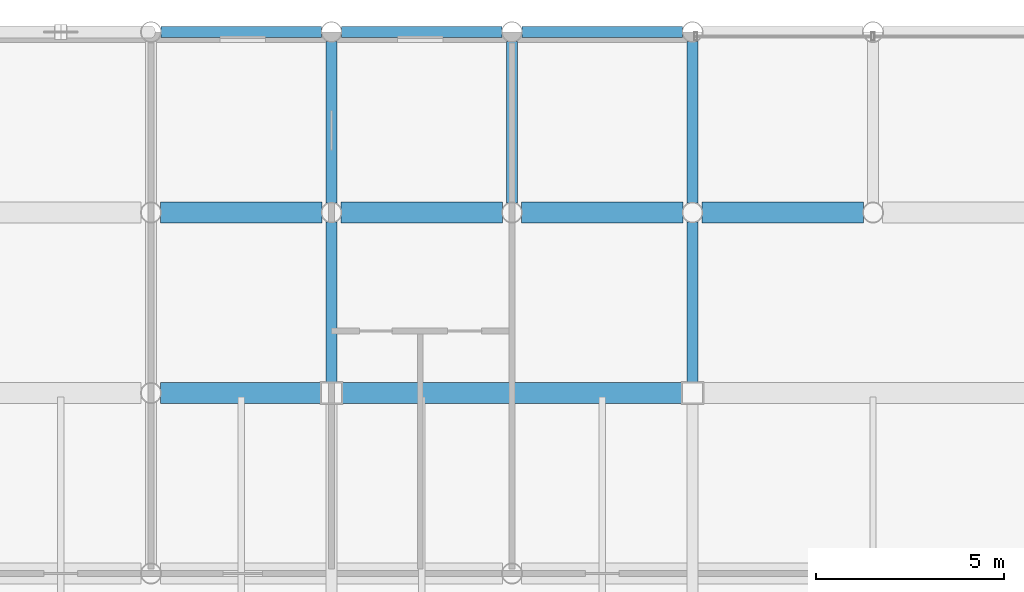
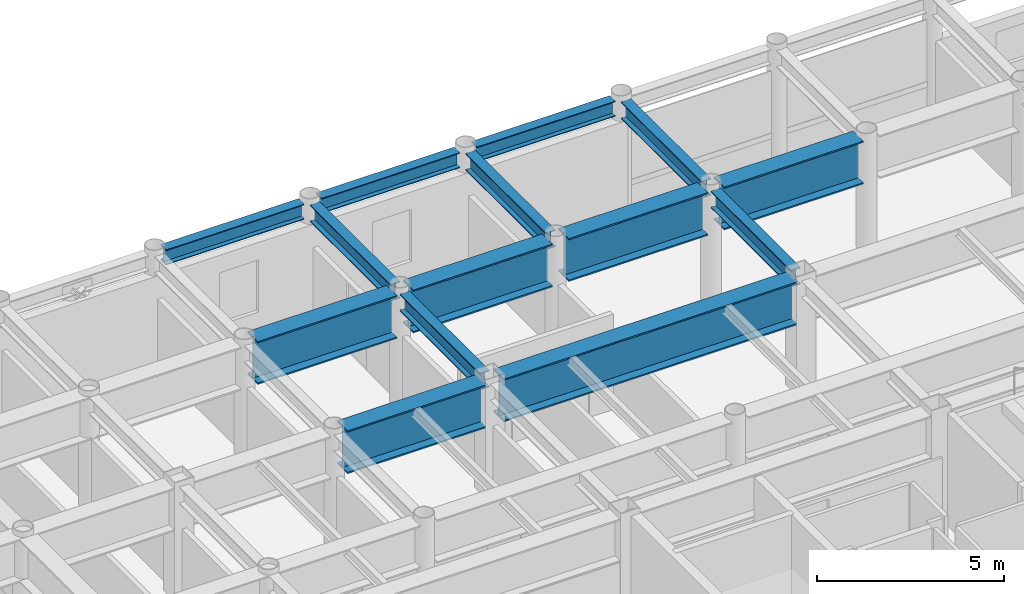
# One storey, part 13 of 27: 14 beams.
"""IFC4 building model written with IfcOpenShell, lengths in metres."""

from ifc_helpers import new_model, si_unit, direction, frame, origin, origin_2d, place, context, subcontext, project, spatial, i_section, extrude, material, material_profile, profile_set, type_object, element, save


model = new_model("IFC4")

# Units and contexts
model_context = context("Model", 3, precision=1e-05, world=origin(), true_north=direction((0.0, 1.0)))
body_context = subcontext(model_context, "Body", "Model", "MODEL_VIEW")
ifc_project = project(units=[si_unit("LENGTHUNIT", "METRE"), si_unit("AREAUNIT", "SQUARE_METRE"), si_unit("VOLUMEUNIT", "CUBIC_METRE"), si_unit("PLANEANGLEUNIT", "RADIAN"), si_unit("MASSUNIT", "GRAM", prefix="KILO")], contexts=[model_context])

# Site, building, storey
site_placement = place(None, origin())
site = spatial("IfcSite", under=ifc_project, at=site_placement, CompositionType="ELEMENT")
building_placement = place(site_placement, origin())
building = spatial("IfcBuilding", under=site, at=building_placement, Name="Kallvorn Hotel Tower", CompositionType="ELEMENT")
storey_placement = place(building_placement, frame((0.0, 0.0, 245.39990234375)))
storey = spatial("IfcBuildingStorey", under=building, at=storey_placement, Name="L61", CompositionType="ELEMENT", Elevation=245.39990234375)

# Beams
ifc_material_1 = material(Name="Structural steel S355JR", Category="steel")
ifc_material_profile_1 = material_profile(ifc_material_1, i_section(OverallWidth=0.300048828125, OverallDepth=0.5, WebThickness=0.014404296875, FlangeThickness=0.028076171875, at=origin_2d()), Name="HE 500 B")
ifc_profile_set_1 = profile_set([ifc_material_profile_1], Name="Structural steel S355JR")
beam_type_1 = type_object("IfcBeamType", Name="BM_HE500B", PredefinedType="SPANDREL", material=ifc_profile_set_1)
beam_1_placement = place(storey_placement, frame((-18.930419921875, 24.0, 3.420166015625), z_axis=(1.0, 0.0, 0.0), x_axis=(0.0, 1.0, 0.0)))
element("IfcBeam", 1, at=beam_1_placement, inside=storey, type_object=beam_type_1, Name="L62 Perimeter Spandrel 174", PredefinedType="SPANDREL", context=body_context, shape_type="SweptSolid", body=[
    extrude(i_section(OverallWidth=0.300048828125, OverallDepth=0.5, WebThickness=0.014404296875, FlangeThickness=0.028076171875, at=origin_2d()), origin(), (0.0, 0.0, 1.0), 4.260986328125),
])
beam_2_placement = place(storey_placement, frame((-14.130615234375, 24.0, 3.420166015625), z_axis=(1.0, 0.0, 0.0), x_axis=(0.0, 1.0, 0.0)))
element("IfcBeam", 2, at=beam_2_placement, inside=storey, type_object=beam_type_1, Name="L62 Perimeter Spandrel 175", PredefinedType="SPANDREL", context=body_context, shape_type="SweptSolid", body=[
    extrude(i_section(OverallWidth=0.300048828125, OverallDepth=0.5, WebThickness=0.014404296875, FlangeThickness=0.028076171875, at=origin_2d()), origin(), (0.0, 0.0, 1.0), 4.26123046875),
])
beam_3_placement = place(storey_placement, frame((-9.33056640625, 24.0, 3.420166015625), z_axis=(1.0, 0.0, 0.0), x_axis=(0.0, 1.0, 0.0)))
element("IfcBeam", 3, at=beam_3_placement, inside=storey, type_object=beam_type_1, Name="L62 Perimeter Spandrel 176", PredefinedType="SPANDREL", context=body_context, shape_type="SweptSolid", body=[
    extrude(i_section(OverallWidth=0.300048828125, OverallDepth=0.5, WebThickness=0.014404296875, FlangeThickness=0.028076171875, at=origin_2d()), origin(), (0.0, 0.0, 1.0), 4.260986328125),
])
ifc_material_2 = material(Name="Structural steel S355JR", Category="steel")
ifc_material_profile_2 = material_profile(ifc_material_2, i_section(OverallWidth=0.300048828125, OverallDepth=0.550048828125, WebThickness=0.014892578125, FlangeThickness=0.029052734375, at=origin_2d()), Name="HE 550 B")
ifc_profile_set_2 = profile_set([ifc_material_profile_2], Name="Structural steel S355JR")
beam_type_2 = type_object("IfcBeamType", Name="BM_HE550B", PredefinedType="SPANDREL", material=ifc_profile_set_2)
beam_4_placement = place(storey_placement, frame((-14.39990234375, 14.675048828125, 3.39501953125), z_axis=(0.0, 1.0, 0.0), x_axis=(-1.0, 0.0, 0.0)))
element("IfcBeam", 4, at=beam_4_placement, inside=storey, type_object=beam_type_2, Name="L62 Primary Y-Girder 109", PredefinedType="SPANDREL", context=body_context, shape_type="SweptSolid", body=[
    extrude(i_section(OverallWidth=0.300048828125, OverallDepth=0.550048828125, WebThickness=0.014892578125, FlangeThickness=0.029052734375, at=origin_2d()), origin(), (0.0, 0.0, 1.0), 4.2705078125),
])
for number, where, z_axis, x_axis, name in (
    (5, (-14.39990234375, 19.45458984375, 3.39501953125), (0.0, 1.0, 0.0), (-1.0, 0.0, 0.0), "L62 Primary Y-Girder 110"),
    (6, (-9.60009765625, 19.45458984375, 3.39501953125), (0.0, 1.0, 0.0), (-1.0, 0.0, 0.0), "L62 Primary Y-Girder 113"),
):
    element("IfcBeam", number, at=place(storey_placement, frame(where, z_axis=z_axis, x_axis=x_axis)), inside=storey, type_object=beam_type_2, Name=name, PredefinedType="SPANDREL", context=body_context, shape_type="SweptSolid", body=[
        extrude(i_section(OverallWidth=0.300048828125, OverallDepth=0.550048828125, WebThickness=0.014892578125, FlangeThickness=0.029052734375, at=origin_2d()), origin(), (0.0, 0.0, 1.0), 4.291015625),
    ])
beam_5_placement = place(storey_placement, frame((-4.800048828125, 14.675048828125, 3.39501953125), z_axis=(0.0, 1.0, 0.0), x_axis=(-1.0, 0.0, 0.0)))
element("IfcBeam", 7, at=beam_5_placement, inside=storey, type_object=beam_type_2, Name="L62 Primary Y-Girder 117", PredefinedType="SPANDREL", context=body_context, shape_type="SweptSolid", body=[
    extrude(i_section(OverallWidth=0.300048828125, OverallDepth=0.550048828125, WebThickness=0.014892578125, FlangeThickness=0.029052734375, at=origin_2d()), origin(), (0.0, 0.0, 1.0), 4.2705078125),
])
beam_6_placement = place(storey_placement, frame((-4.800048828125, 19.45458984375, 3.39501953125), z_axis=(0.0, 1.0, 0.0), x_axis=(-1.0, 0.0, 0.0)))
element("IfcBeam", 8, at=beam_6_placement, inside=storey, type_object=beam_type_2, Name="L62 Primary Y-Girder 118", PredefinedType="SPANDREL", context=body_context, shape_type="SweptSolid", body=[
    extrude(i_section(OverallWidth=0.300048828125, OverallDepth=0.550048828125, WebThickness=0.014892578125, FlangeThickness=0.029052734375, at=origin_2d()), origin(), (0.0, 0.0, 1.0), 4.291015625),
])
ifc_material_3 = material(Name="Structural steel S355JR", Category="steel")
ifc_material_profile_3 = material_profile(ifc_material_3, i_section(OverallWidth=0.550048828125, OverallDepth=1.39990234375, WebThickness=0.02490234375, FlangeThickness=0.044921875, at=origin_2d()), Name="PG 1400x550x25x45")
ifc_profile_set_3 = profile_set([ifc_material_profile_3], Name="Structural steel S355JR")
beam_type_3 = type_object("IfcBeamType", Name="BM_PG_1400", PredefinedType="BEAM", material=ifc_profile_set_3)
beam_7_placement = place(storey_placement, frame((-18.945556640625, 14.39990234375, 2.97021484375), z_axis=(1.0, 0.0, 0.0), x_axis=(0.0, 1.0, 0.0)))
element("IfcBeam", 9, at=beam_7_placement, inside=storey, type_object=beam_type_3, Name="L62 Primary X-Girder 61", PredefinedType="BEAM", context=body_context, shape_type="SweptSolid", body=[
    extrude(i_section(OverallWidth=0.550048828125, OverallDepth=1.39990234375, WebThickness=0.02490234375, FlangeThickness=0.044921875, at=origin_2d()), origin(), (0.0, 0.0, 1.0), 4.2705078125),
])
beam_8_placement = place(storey_placement, frame((-14.125, 14.39990234375, 2.97021484375), z_axis=(1.0, 0.0, 0.0), x_axis=(0.0, 1.0, 0.0)))
element("IfcBeam", 10, at=beam_8_placement, inside=storey, type_object=beam_type_3, Name="L62 Primary X-Girder 62", PredefinedType="BEAM", context=body_context, shape_type="SweptSolid", body=[
    extrude(i_section(OverallWidth=0.550048828125, OverallDepth=1.39990234375, WebThickness=0.02490234375, FlangeThickness=0.044921875, at=origin_2d()), origin(), (0.0, 0.0, 1.0), 9.050048828125),
])
for number, where, z_axis, x_axis, name in (
    (11, (-18.945556640625, 19.199951171875, 2.97021484375), (1.0, 0.0, 0.0), (0.0, 1.0, 0.0), "L62 Primary X-Girder 71"),
    (12, (-14.1455078125, 19.199951171875, 2.97021484375), (1.0, 0.0, 0.0), (0.0, 1.0, 0.0), "L62 Primary X-Girder 72"),
    (13, (-9.345458984375, 19.199951171875, 2.97021484375), (1.0, 0.0, 0.0), (0.0, 1.0, 0.0), "L62 Primary X-Girder 73"),
    (14, (-4.54541015625, 19.199951171875, 2.97021484375), (1.0, 0.0, 0.0), (0.0, 1.0, 0.0), "L62 Primary X-Girder 74"),
):
    element("IfcBeam", number, at=place(storey_placement, frame(where, z_axis=z_axis, x_axis=x_axis)), inside=storey, type_object=beam_type_3, Name=name, PredefinedType="BEAM", context=body_context, shape_type="SweptSolid", body=[
        extrude(i_section(OverallWidth=0.550048828125, OverallDepth=1.39990234375, WebThickness=0.02490234375, FlangeThickness=0.044921875, at=origin_2d()), origin(), (0.0, 0.0, 1.0), 4.291015625),
    ])

save(model, "model.ifc")
